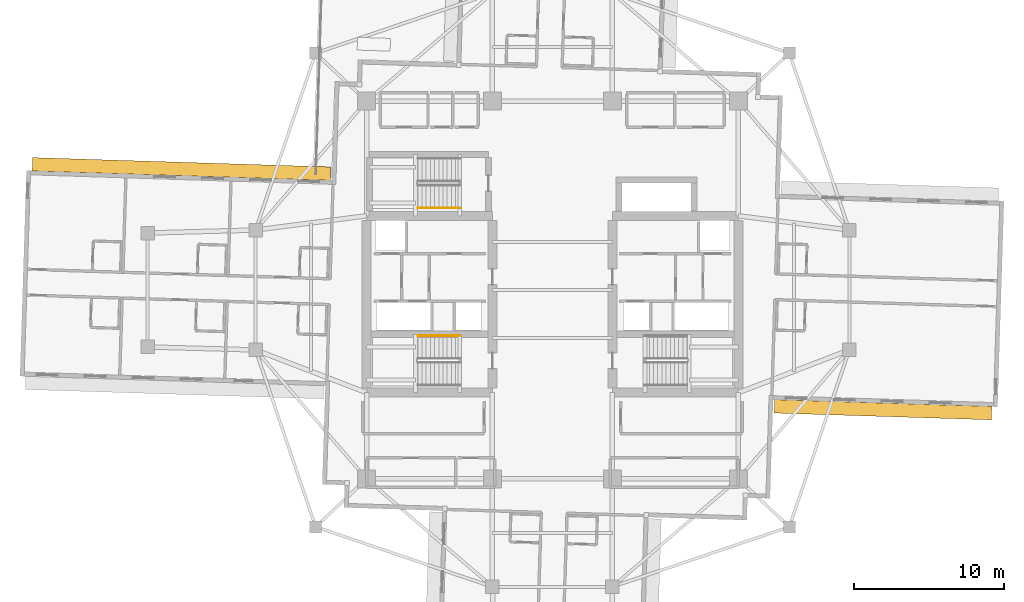
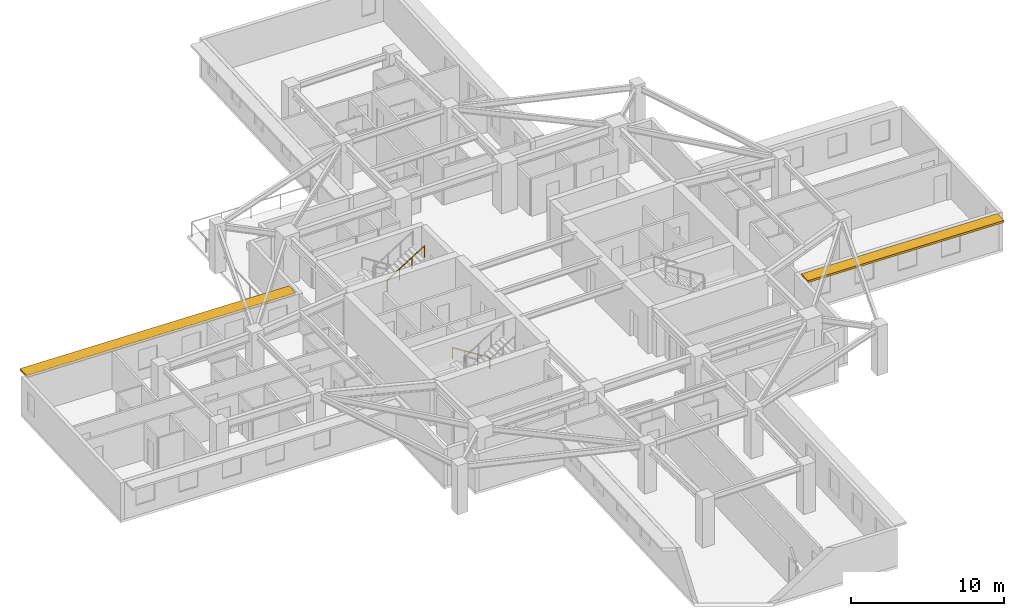
# One storey, part 11 of 13: 2 railings, 2 shading devices.
"""IFC4 building model written with IfcOpenShell, lengths in metres."""

from ifc_helpers import new_model, si_unit, direction, frame, origin, origin_2d, place, context, subcontext, project, spatial, rectangle, circle, extrude, material, layer, layer_set, type_object, element, save


model = new_model("IFC4")

# Units and contexts
model_context = context("Model", 3, precision=1e-05, world=origin(), true_north=direction((0.0, 1.0)))
body_context = subcontext(model_context, "Body", "Model", "MODEL_VIEW")
ifc_project = project(units=[si_unit("LENGTHUNIT", "METRE"), si_unit("AREAUNIT", "SQUARE_METRE"), si_unit("VOLUMEUNIT", "CUBIC_METRE"), si_unit("PLANEANGLEUNIT", "RADIAN"), si_unit("MASSUNIT", "GRAM", prefix="KILO")], contexts=[model_context])

# Site, building, storey
site_placement = place(None, origin())
site = spatial("IfcSite", under=ifc_project, at=site_placement, CompositionType="ELEMENT")
building_placement = place(site_placement, origin())
building = spatial("IfcBuilding", under=site, at=building_placement, Name="Qingluan Cross Belvedere", CompositionType="ELEMENT")
storey_placement = place(building_placement, frame((0.0, 0.0, 152.699951171875)))
storey = spatial("IfcBuildingStorey", under=building, at=storey_placement, Name="L38", CompositionType="ELEMENT", Elevation=152.699951171875)

# Shading devices
ifc_material_1 = material(Name="Precast concrete C45", Category="concrete")
ifc_layer = layer(ifc_material_1, 0.159912109375, Name="ConcreteSunshadeBand_900")
ifc_layer_set = layer_set([ifc_layer], Name="Precast concrete C45")
shading_device_type = type_object("IfcShadingDeviceType", Name="ConcreteSunshadeBand_900", PredefinedType="USERDEFINED", material=ifc_layer_set)
shading_device_1_placement = place(storey_placement, frame((22.050048828125, -7.986572265625, 2.7900390625), z_axis=(0.0, 0.0, 1.0), x_axis=(0.999506645453, -0.031408051437, 0.0)))
element("IfcShadingDevice", 1, at=shading_device_1_placement, inside=storey, type_object=shading_device_type, Name="Concrete SUNSHADE L38-EA", ObjectType="SUNSHADE", PredefinedType="USERDEFINED", context=body_context, shape_type="SweptSolid", body=[
    extrude(rectangle(XDim=14.5, YDim=0.89990234375, at=origin_2d()), origin(), (0.0, 0.0, 1.0), 0.159912109375),
])
shading_device_2_placement = place(storey_placement, frame((-24.74853515625, 8.0712890625, 2.7900390625), z_axis=(0.0, 0.0, 1.0), x_axis=(-0.999506649124, 0.031407934627, 0.0)))
element("IfcShadingDevice", 2, at=shading_device_2_placement, inside=storey, type_object=shading_device_type, Name="Concrete SUNSHADE L38-WA", ObjectType="SUNSHADE", PredefinedType="USERDEFINED", context=body_context, shape_type="SweptSolid", body=[
    extrude(rectangle(XDim=19.89990234375, YDim=0.89990234375, at=origin_2d()), origin(), (0.0, 0.0, 1.0), 0.159912109375),
])

# Railings
ifc_material_2 = material(Name="Brushed stainless steel tubular handrail", Category="steel")
railing_type = type_object("IfcRailingType", Name="StairPitchHandrail_900", PredefinedType="HANDRAIL", material=ifc_material_2)
railing_1_placement = place(storey_placement, frame((-6.179931640625, -3.050048828125, 0.17724609375)))
element("IfcRailing", 3, at=railing_1_placement, inside=storey, type_object=railing_type, Name="L38 ST1 stair handrail 1", PredefinedType="HANDRAIL", context=body_context, shape_type="SweptSolid", body=[
    extrude(circle(Radius=0.02392578125, at=origin_2d()), frame((0.0, 0.0, 0.8759765625), z_axis=(-0.844908973607, 0.0, 0.534910110503), x_axis=(0.0, -1.0, 0.0)), (0.0, 0.0, 1.0), 3.31396484375),
    extrude(circle(Radius=0.02099609375, at=origin_2d()), origin(), (0.0, 0.0, 1.0), 0.851806640625),
    extrude(circle(Radius=0.02099609375, at=origin_2d()), frame((-0.933349609375, 0.0, 0.5908203125)), (0.0, 0.0, 1.0), 0.851806640625),
    extrude(circle(Radius=0.02099609375, at=origin_2d()), frame((-1.86669921875, 0.0, 1.181884765625)), (0.0, 0.0, 1.0), 0.851806640625),
    extrude(circle(Radius=0.02099609375, at=origin_2d()), frame((-2.800048828125, 0.0, 1.772705078125)), (0.0, 0.0, 1.0), 0.851806640625),
])
railing_2_placement = place(storey_placement, frame((-8.97998046875, 5.469970703125, 2.12744140625)))
element("IfcRailing", 4, at=railing_2_placement, inside=storey, type_object=railing_type, Name="L38 ST3 stair handrail 2", PredefinedType="HANDRAIL", context=body_context, shape_type="SweptSolid", body=[
    extrude(circle(Radius=0.02392578125, at=origin_2d()), frame((0.0, 0.0, 0.8759765625), z_axis=(0.844908973607, 0.0, 0.534910110503), x_axis=(0.0, 1.0, 0.0)), (0.0, 0.0, 1.0), 3.31396484375),
    extrude(circle(Radius=0.02099609375, at=origin_2d()), origin(), (0.0, 0.0, 1.0), 0.851806640625),
    extrude(circle(Radius=0.02099609375, at=origin_2d()), frame((0.933349609375, 0.0, 0.5908203125)), (0.0, 0.0, 1.0), 0.851806640625),
    extrude(circle(Radius=0.02099609375, at=origin_2d()), frame((1.86669921875, 0.0, 1.181884765625)), (0.0, 0.0, 1.0), 0.851806640625),
    extrude(circle(Radius=0.02099609375, at=origin_2d()), frame((2.800048828125, 0.0, 1.772705078125)), (0.0, 0.0, 1.0), 0.851806640625),
])

save(model, "model.ifc")
